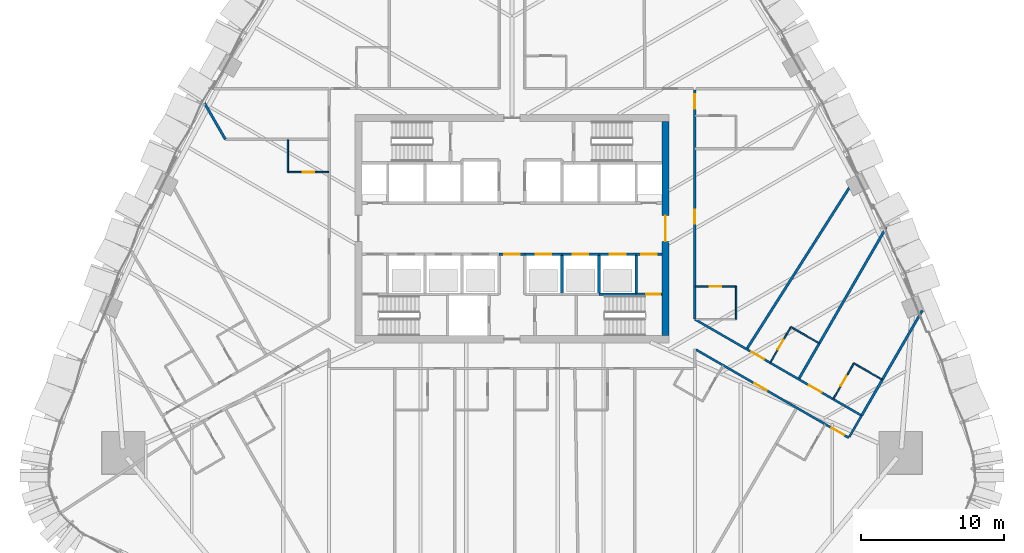
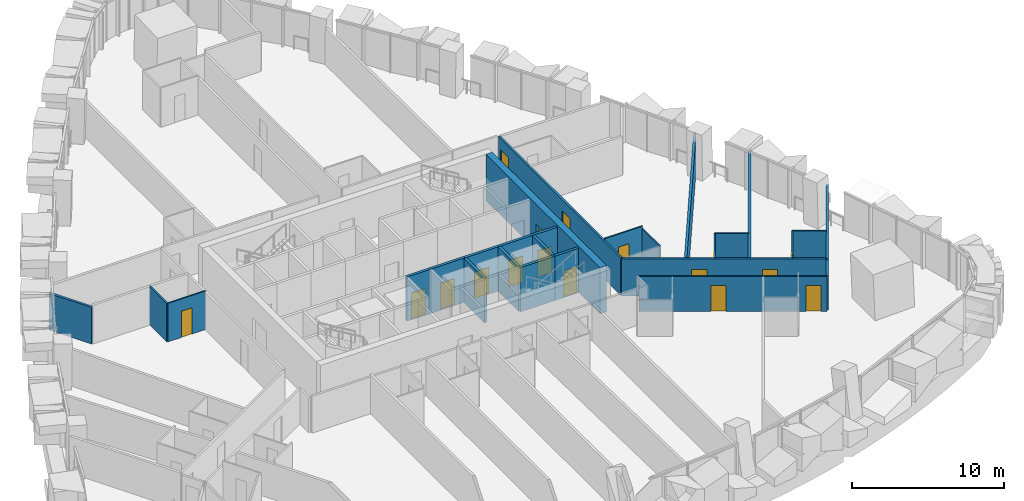
# One storey, part 17 of 27: 27 walls, 17 doors, 17 openings.
"""IFC4 building model written with IfcOpenShell, lengths in metres."""

from ifc_helpers import new_model, si_unit, direction, frame, frame_2d, origin, place, context, subcontext, project, spatial, rectangle, extrude, material, layer, layer_set, type_object, element, fill, save


model = new_model("IFC4")

# Units and contexts
model_context = context("Model", 3, precision=1e-05, world=origin(), true_north=direction((0.0, 1.0)))
body_context = subcontext(model_context, "Body", "Model", "MODEL_VIEW")
ifc_project = project(units=[si_unit("LENGTHUNIT", "METRE"), si_unit("AREAUNIT", "SQUARE_METRE"), si_unit("VOLUMEUNIT", "CUBIC_METRE"), si_unit("PLANEANGLEUNIT", "RADIAN"), si_unit("MASSUNIT", "GRAM", prefix="KILO")], contexts=[model_context])

# Site, building, storey
site_placement = place(None, origin())
site = spatial("IfcSite", under=ifc_project, at=site_placement, CompositionType="ELEMENT")
building_placement = place(site_placement, origin())
building = spatial("IfcBuilding", under=site, at=building_placement, Name="Sierra Prisma Convention Tower", CompositionType="ELEMENT")
storey_placement = place(building_placement, frame((0.0, 0.0, 48.0)))
storey = spatial("IfcBuildingStorey", under=building, at=storey_placement, Name="L07", CompositionType="ELEMENT", Elevation=48.0)

# Wall, opening, door
ifc_material_1 = material(Name="Gypsum board partition", Category="gypsum")
ifc_layer_1 = layer(ifc_material_1, 0.10009765625)
ifc_layer_set_1 = layer_set([ifc_layer_1], Name="Bathroom partition 100")
wall_type_1 = type_object("IfcWallType", Name="Bathroom partition 100", PredefinedType="PARTITIONING", material=ifc_layer_set_1)
wall_1_placement = place(storey_placement, frame((-12.830078125, 3.94921875, 0.0), z_axis=(0.0, 0.0, 1.0), x_axis=(-1.0, 0.0, 0.0)))
wall_1 = element("IfcWall", 1, at=wall_1_placement, inside=storey, type_object=wall_type_1, Name="Partition L07 bath 10", PredefinedType="PARTITIONING", context=body_context, shape_type="SweptSolid", body=[
    extrude(rectangle(XDim=2.869873046875, YDim=0.10009765625, at=frame_2d((1.43505859375, 0.0))), origin(), (0.0, 0.0, 1.0), 3.093017578125),
])
opening_1_placement = place(wall_1_placement, frame((1.034912109375, 0.0, 0.0)))
opening_1 = element("IfcOpeningElement", 2, at=opening_1_placement, cuts=wall_1, Name="Opening L07-D006", PredefinedType="OPENING", context=body_context, shape_type="SweptSolid", body=[
    extrude(rectangle(XDim=0.800048828125, YDim=2.10009765625, at=frame_2d((0.39990234375, 1.050048828125))), frame((0.0, 0.050048828125, 0.0), z_axis=(0.0, -1.0, 0.0), x_axis=(1.0, 0.0, 0.0)), (0.0, 0.0, 1.0), 0.10009765625),
])
ifc_material_2 = material(Name="Solid core timber door leaf", Category="wood")
door_type_1 = type_object("IfcDoorType", Name="Door 800x2100 plain", OperationType="SINGLE_SWING_LEFT", PredefinedType="DOOR", material=ifc_material_2)
door_1_placement = place(opening_1_placement, origin())
door_1 = element("IfcDoor", 3, at=door_1_placement, inside=storey, type_object=door_type_1, Name="Door L07 14", OperationType="SINGLE_SWING_RIGHT", OverallHeight=2.10009765625, OverallWidth=0.800048828125, PredefinedType="DOOR", context=body_context, shape_type="SweptSolid", body=[
    extrude(rectangle(XDim=0.800048828125, YDim=2.10009765625, at=frame_2d((0.39990234375, 1.050048828125))), frame((0.0, 0.02490234375, 0.0), z_axis=(0.0, -1.0, 0.0), x_axis=(1.0, 0.0, 0.0)), (0.0, 0.0, 1.0), 0.050048828125),
])
fill(opening_1, door_1)

# Wall
wall_2_placement = place(storey_placement, frame((-15.699951171875, 3.94921875, 0.0), z_axis=(0.0, 0.0, 1.0), x_axis=(0.0, 1.0, 0.0)))
element("IfcWall", 4, at=wall_2_placement, inside=storey, type_object=wall_type_1, Name="Partition L07 bath 11", PredefinedType="PARTITIONING", context=body_context, shape_type="SweptSolid", body=[
    extrude(rectangle(XDim=2.269775390625, YDim=0.10009765625, at=frame_2d((1.134765625, 0.0))), origin(), (0.0, 0.0, 1.0), 3.093017578125),
])

# Wall, opening, door
wall_3_placement = place(storey_placement, frame((12.830078125, -4.05078125, 0.0), z_axis=(0.0, 0.0, 1.0), x_axis=(1.0, 0.0, 0.0)))
wall_3 = element("IfcWall", 5, at=wall_3_placement, inside=storey, type_object=wall_type_1, Name="Partition L07 bath 30", PredefinedType="PARTITIONING", context=body_context, shape_type="SweptSolid", body=[
    extrude(rectangle(XDim=2.869873046875, YDim=0.10009765625, at=frame_2d((1.43505859375, 0.0))), origin(), (0.0, 0.0, 1.0), 3.14990234375),
])
opening_2_placement = place(wall_3_placement, frame((1.034912109375, 0.0, 0.0)))
opening_2 = element("IfcOpeningElement", 6, at=opening_2_placement, cuts=wall_3, Name="Opening L07-D001", PredefinedType="OPENING", context=body_context, shape_type="SweptSolid", body=[
    extrude(rectangle(XDim=0.800048828125, YDim=2.10009765625, at=frame_2d((0.39990234375, 1.050048828125))), frame((0.0, 0.050048828125, 0.0), z_axis=(0.0, -1.0, 0.0), x_axis=(1.0, 0.0, 0.0)), (0.0, 0.0, 1.0), 0.10009765625),
])
door_2_placement = place(opening_2_placement, origin())
door_2 = element("IfcDoor", 7, at=door_2_placement, inside=storey, type_object=door_type_1, Name="Door L07 2", OperationType="SINGLE_SWING_RIGHT", OverallHeight=2.10009765625, OverallWidth=0.800048828125, PredefinedType="DOOR", context=body_context, shape_type="SweptSolid", body=[
    extrude(rectangle(XDim=0.800048828125, YDim=2.10009765625, at=frame_2d((0.39990234375, 1.050048828125))), frame((0.0, 0.02490234375, 0.0), z_axis=(0.0, -1.0, 0.0), x_axis=(1.0, 0.0, 0.0)), (0.0, 0.0, 1.0), 0.050048828125),
])
fill(opening_2, door_2)

# Wall
wall_4_placement = place(storey_placement, frame((15.699951171875, -4.05078125, 0.0), z_axis=(0.0, 0.0, 1.0), x_axis=(0.0, -1.0, 0.0)))
element("IfcWall", 8, at=wall_4_placement, inside=storey, type_object=wall_type_1, Name="Partition L07 bath 31", PredefinedType="PARTITIONING", context=body_context, shape_type="SweptSolid", body=[
    extrude(rectangle(XDim=2.300048828125, YDim=0.10009765625, at=frame_2d((1.14990234375, 0.0))), origin(), (0.0, 0.0, 1.0), 2.947021484375),
])

# Wall, opening, door
wall_5_placement = place(storey_placement, frame((18.097900390625, -9.375, 0.0), z_axis=(0.0, 0.0, 1.0), x_axis=(0.499936001555, 0.866062350151, 0.0)))
wall_5 = element("IfcWall", 9, at=wall_5_placement, inside=storey, type_object=wall_type_1, Name="Partition L07 bath 35", PredefinedType="PARTITIONING", context=body_context, shape_type="SweptSolid", body=[
    extrude(rectangle(XDim=2.8701171875, YDim=0.10009765625, at=frame_2d((1.43505859375, 0.0))), origin(), (0.0, 0.0, 1.0), 2.947021484375),
])
opening_3_placement = place(wall_5_placement, frame((1.034912109375, 0.0, 0.0)))
opening_3 = element("IfcOpeningElement", 10, at=opening_3_placement, cuts=wall_5, Name="Opening L07-D018", PredefinedType="OPENING", context=body_context, shape_type="SweptSolid", body=[
    extrude(rectangle(XDim=0.800048828125, YDim=2.10009765625, at=frame_2d((0.39990234375, 1.050048828125))), frame((0.0, 0.050048828125, 0.0), z_axis=(0.0, -1.0, 0.0), x_axis=(1.0, 0.0, 0.0)), (0.0, 0.0, 1.0), 0.10009765625),
])
door_3_placement = place(opening_3_placement, origin())
door_3 = element("IfcDoor", 11, at=door_3_placement, inside=storey, type_object=door_type_1, Name="Door L07 39", OperationType="SINGLE_SWING_LEFT", OverallHeight=2.10009765625, OverallWidth=0.800048828125, PredefinedType="DOOR", context=body_context, shape_type="SweptSolid", body=[
    extrude(rectangle(XDim=0.800048828125, YDim=2.10009765625, at=frame_2d((0.39990234375, 1.050048828125))), frame((0.0, 0.02490234375, 0.0), z_axis=(0.0, -1.0, 0.0), x_axis=(1.0, 0.0, 0.0)), (0.0, 0.0, 1.0), 0.050048828125),
])
fill(opening_3, door_3)

# Wall
wall_6_placement = place(storey_placement, frame((19.53271484375, -6.889404296875, 0.0), z_axis=(0.0, 0.0, 1.0), x_axis=(0.866017224141, -0.500014167291, 0.0)))
element("IfcWall", 12, at=wall_6_placement, inside=storey, type_object=wall_type_1, Name="Partition L07 bath 36", PredefinedType="PARTITIONING", context=body_context, shape_type="SweptSolid", body=[
    extrude(rectangle(XDim=2.27001953125, YDim=0.10009765625, at=frame_2d((1.135009765625, 0.0))), origin(), (0.0, 0.0, 1.0), 2.947021484375),
])

# Wall, opening, door
wall_7_placement = place(storey_placement, frame((22.5107421875, -11.922607421875, 0.0), z_axis=(0.0, 0.0, 1.0), x_axis=(0.500036638401, 0.866004249561, 0.0)))
wall_7 = element("IfcWall", 13, at=wall_7_placement, inside=storey, type_object=wall_type_1, Name="Partition L07 bath 39", PredefinedType="PARTITIONING", context=body_context, shape_type="SweptSolid", body=[
    extrude(rectangle(XDim=2.869873046875, YDim=0.10009765625, at=frame_2d((1.43505859375, 0.0))), origin(), (0.0, 0.0, 1.0), 3.14990234375),
])
opening_4_placement = place(wall_7_placement, frame((1.034912109375, 0.0, 0.0)))
opening_4 = element("IfcOpeningElement", 14, at=opening_4_placement, cuts=wall_7, Name="Opening L07-D017", PredefinedType="OPENING", context=body_context, shape_type="SweptSolid", body=[
    extrude(rectangle(XDim=0.800048828125, YDim=2.10009765625, at=frame_2d((0.39990234375, 1.050048828125))), frame((0.0, 0.050048828125, 0.0), z_axis=(0.0, -1.0, 0.0), x_axis=(1.0, 0.0, 0.0)), (0.0, 0.0, 1.0), 0.10009765625),
])
door_4_placement = place(opening_4_placement, origin())
door_4 = element("IfcDoor", 15, at=door_4_placement, inside=storey, type_object=door_type_1, Name="Door L07 37", OperationType="SINGLE_SWING_RIGHT", OverallHeight=2.10009765625, OverallWidth=0.800048828125, PredefinedType="DOOR", context=body_context, shape_type="SweptSolid", body=[
    extrude(rectangle(XDim=0.800048828125, YDim=2.10009765625, at=frame_2d((0.39990234375, 1.050048828125))), frame((0.0, 0.02490234375, 0.0), z_axis=(0.0, -1.0, 0.0), x_axis=(1.0, 0.0, 0.0)), (0.0, 0.0, 1.0), 0.050048828125),
])
fill(opening_4, door_4)

# Wall
wall_8_placement = place(storey_placement, frame((23.94580078125, -9.437255859375, 0.0), z_axis=(0.0, 0.0, 1.0), x_axis=(0.866017224141, -0.500014167291, 0.0)))
element("IfcWall", 16, at=wall_8_placement, inside=storey, type_object=wall_type_1, Name="Partition L07 bath 40", PredefinedType="PARTITIONING", context=body_context, shape_type="SweptSolid", body=[
    extrude(rectangle(XDim=2.27001953125, YDim=0.10009765625, at=frame_2d((1.135009765625, 0.0))), origin(), (0.0, 0.0, 1.0), 3.14990234375),
])

# Wall, opening, door
ifc_material_3 = material(Name="Concrete C30/37", Category="concrete")
ifc_layer_2 = layer(ifc_material_3, 0.199951171875)
ifc_layer_set_2 = layer_set([ifc_layer_2], Name="Core wall RC 200 C30/37")
wall_type_2 = type_object("IfcWallType", Name="Core wall RC 200 C30/37", PredefinedType="SOLIDWALL", material=ifc_layer_set_2)
wall_9_placement = place(storey_placement, frame((-0.89990234375, -1.800048828125, 0.0), z_axis=(0.0, 0.0, 1.0), x_axis=(1.0, 0.0, 0.0)))
wall_9 = element("IfcWall", 17, at=wall_9_placement, inside=storey, type_object=wall_type_2, Name="Core wall L07 32", PredefinedType="SOLIDWALL", context=body_context, shape_type="SweptSolid", body=[
    extrude(rectangle(XDim=1.7998046875, YDim=0.199951171875, at=frame_2d((0.89990234375, 0.0))), origin(), (0.0, 0.0, 1.0), 3.550048828125),
])
opening_5_placement = place(wall_9_placement, frame((0.35009765625, 0.0, 0.0)))
opening_5 = element("IfcOpeningElement", 18, at=opening_5_placement, cuts=wall_9, Name="Opening L07-D031", PredefinedType="OPENING", context=body_context, shape_type="SweptSolid", body=[
    extrude(rectangle(XDim=1.10009765625, YDim=2.10009765625, at=frame_2d((0.550048828125, 1.050048828125))), frame((0.0, 0.10009765625, 0.0), z_axis=(0.0, -1.0, 0.0), x_axis=(1.0, 0.0, 0.0)), (0.0, 0.0, 1.0), 0.199951171875),
])
ifc_material_4 = material(Name="Steel fire door leaf", Category="steel")
door_type_2 = type_object("IfcDoorType", Name="Door 1100x2100 FD30S", OperationType="SINGLE_SWING_LEFT", PredefinedType="DOOR", material=ifc_material_4)
door_5_placement = place(opening_5_placement, origin())
door_5 = element("IfcDoor", 19, at=door_5_placement, inside=storey, type_object=door_type_2, Name="Door L07 52", OperationType="SINGLE_SWING_LEFT", OverallHeight=2.10009765625, OverallWidth=1.10009765625, PredefinedType="DOOR", context=body_context, shape_type="SweptSolid", body=[
    extrude(rectangle(XDim=1.10009765625, YDim=2.10009765625, at=frame_2d((0.550048828125, 1.050048828125))), frame((0.0, 0.02490234375, 0.0), z_axis=(0.0, -1.0, 0.0), x_axis=(1.0, 0.0, 0.0)), (0.0, 0.0, 1.0), 0.050048828125),
])
fill(opening_5, door_5)

wall_10_placement = place(storey_placement, frame((0.89990234375, -1.800048828125, 0.0), z_axis=(0.0, 0.0, 1.0), x_axis=(1.0, 0.0, 0.0)))
wall_10 = element("IfcWall", 20, at=wall_10_placement, inside=storey, type_object=wall_type_2, Name="Core wall L07 34", PredefinedType="SOLIDWALL", context=body_context, shape_type="SweptSolid", body=[
    extrude(rectangle(XDim=2.60009765625, YDim=0.199951171875, at=frame_2d((1.300048828125, 0.0))), origin(), (0.0, 0.0, 1.0), 3.550048828125),
])
opening_6_placement = place(wall_10_placement, frame((0.75, 0.0, 0.0)))
opening_6 = element("IfcOpeningElement", 21, at=opening_6_placement, cuts=wall_10, Name="Opening L07-D022", PredefinedType="OPENING", context=body_context, shape_type="SweptSolid", body=[
    extrude(rectangle(XDim=1.10009765625, YDim=2.10009765625, at=frame_2d((0.550048828125, 1.050048828125))), frame((0.0, 0.10009765625, 0.0), z_axis=(0.0, -1.0, 0.0), x_axis=(1.0, 0.0, 0.0)), (0.0, 0.0, 1.0), 0.199951171875),
])
ifc_material_5 = material(Name="Steel fire door leaf", Category="steel")
door_type_3 = type_object("IfcDoorType", Name="Door 1100x2100 EI 90 sliding lift landing", OperationType="SLIDING_TO_LEFT", PredefinedType="DOOR", material=ifc_material_5)
door_6_placement = place(opening_6_placement, origin())
door_6 = element("IfcDoor", 22, at=door_6_placement, inside=storey, type_object=door_type_3, Name="Door L07 43", OperationType="SLIDING_TO_RIGHT", OverallHeight=2.10009765625, OverallWidth=1.10009765625, PredefinedType="DOOR", context=body_context, shape_type="SweptSolid", body=[
    extrude(rectangle(XDim=1.10009765625, YDim=2.10009765625, at=frame_2d((0.550048828125, 1.050048828125))), frame((0.0, 0.02490234375, 0.0), z_axis=(0.0, -1.0, 0.0), x_axis=(1.0, 0.0, 0.0)), (0.0, 0.0, 1.0), 0.050048828125),
])
fill(opening_6, door_6)

# Wall
wall_11_placement = place(storey_placement, frame((3.5, -4.60009765625, 0.0), z_axis=(0.0, 0.0, 1.0), x_axis=(0.0, 1.0, 0.0)))
element("IfcWall", 23, at=wall_11_placement, inside=storey, type_object=wall_type_2, Name="Core wall L07 44", PredefinedType="SOLIDWALL", context=body_context, shape_type="SweptSolid", body=[
    extrude(rectangle(XDim=2.800048828125, YDim=0.199951171875, at=frame_2d((1.39990234375, 0.0))), origin(), (0.0, 0.0, 1.0), 3.550048828125),
])

# Wall, opening, door
wall_12_placement = place(storey_placement, frame((3.5, -1.800048828125, 0.0), z_axis=(0.0, 0.0, 1.0), x_axis=(1.0, 0.0, 0.0)))
wall_12 = element("IfcWall", 24, at=wall_12_placement, inside=storey, type_object=wall_type_2, Name="Core wall L07 45", PredefinedType="SOLIDWALL", context=body_context, shape_type="SweptSolid", body=[
    extrude(rectangle(XDim=2.60009765625, YDim=0.199951171875, at=frame_2d((1.300048828125, 0.0))), origin(), (0.0, 0.0, 1.0), 3.550048828125),
])
opening_7_placement = place(wall_12_placement, frame((0.75, 0.0, 0.0)))
opening_7 = element("IfcOpeningElement", 25, at=opening_7_placement, cuts=wall_12, Name="Opening L07-D023", PredefinedType="OPENING", context=body_context, shape_type="SweptSolid", body=[
    extrude(rectangle(XDim=1.10009765625, YDim=2.10009765625, at=frame_2d((0.550048828125, 1.050048828125))), frame((0.0, 0.10009765625, 0.0), z_axis=(0.0, -1.0, 0.0), x_axis=(1.0, 0.0, 0.0)), (0.0, 0.0, 1.0), 0.199951171875),
])
door_7_placement = place(opening_7_placement, origin())
door_7 = element("IfcDoor", 26, at=door_7_placement, inside=storey, type_object=door_type_3, Name="Door L07 44", OperationType="SLIDING_TO_RIGHT", OverallHeight=2.10009765625, OverallWidth=1.10009765625, PredefinedType="DOOR", context=body_context, shape_type="SweptSolid", body=[
    extrude(rectangle(XDim=1.10009765625, YDim=2.10009765625, at=frame_2d((0.550048828125, 1.050048828125))), frame((0.0, 0.02490234375, 0.0), z_axis=(0.0, -1.0, 0.0), x_axis=(1.0, 0.0, 0.0)), (0.0, 0.0, 1.0), 0.050048828125),
])
fill(opening_7, door_7)

# Walls
wall_13_placement = place(storey_placement, frame((6.10009765625, -4.60009765625, 0.0), z_axis=(0.0, 0.0, 1.0), x_axis=(1.0, 0.0, 0.0)))
element("IfcWall", 27, at=wall_13_placement, inside=storey, type_object=wall_type_2, Name="Core wall L07 53", PredefinedType="SOLIDWALL", context=body_context, shape_type="SweptSolid", body=[
    extrude(rectangle(XDim=2.599853515625, YDim=0.199951171875, at=frame_2d((1.2998046875, 0.0))), origin(), (0.0, 0.0, 1.0), 3.550048828125),
])
wall_14_placement = place(storey_placement, frame((6.10009765625, -4.60009765625, 0.0), z_axis=(0.0, 0.0, 1.0), x_axis=(0.0, 1.0, 0.0)))
element("IfcWall", 28, at=wall_14_placement, inside=storey, type_object=wall_type_2, Name="Core wall L07 54", PredefinedType="SOLIDWALL", context=body_context, shape_type="SweptSolid", body=[
    extrude(rectangle(XDim=2.800048828125, YDim=0.199951171875, at=frame_2d((1.39990234375, 0.0))), origin(), (0.0, 0.0, 1.0), 3.550048828125),
])

# Wall, opening, door
wall_15_placement = place(storey_placement, frame((6.10009765625, -1.800048828125, 0.0), z_axis=(0.0, 0.0, 1.0), x_axis=(1.0, 0.0, 0.0)))
wall_15 = element("IfcWall", 29, at=wall_15_placement, inside=storey, type_object=wall_type_2, Name="Core wall L07 55", PredefinedType="SOLIDWALL", context=body_context, shape_type="SweptSolid", body=[
    extrude(rectangle(XDim=2.599853515625, YDim=0.199951171875, at=frame_2d((1.2998046875, 0.0))), origin(), (0.0, 0.0, 1.0), 3.550048828125),
])
opening_8_placement = place(wall_15_placement, frame((0.75, 0.0, 0.0)))
opening_8 = element("IfcOpeningElement", 30, at=opening_8_placement, cuts=wall_15, Name="Opening L07-D024", PredefinedType="OPENING", context=body_context, shape_type="SweptSolid", body=[
    extrude(rectangle(XDim=1.10009765625, YDim=2.10009765625, at=frame_2d((0.550048828125, 1.050048828125))), frame((0.0, 0.10009765625, 0.0), z_axis=(0.0, -1.0, 0.0), x_axis=(1.0, 0.0, 0.0)), (0.0, 0.0, 1.0), 0.199951171875),
])
door_8_placement = place(opening_8_placement, origin())
door_8 = element("IfcDoor", 31, at=door_8_placement, inside=storey, type_object=door_type_3, Name="Door L07 45", OperationType="SLIDING_TO_RIGHT", OverallHeight=2.10009765625, OverallWidth=1.10009765625, PredefinedType="DOOR", context=body_context, shape_type="SweptSolid", body=[
    extrude(rectangle(XDim=1.10009765625, YDim=2.10009765625, at=frame_2d((0.550048828125, 1.050048828125))), frame((0.0, 0.02490234375, 0.0), z_axis=(0.0, -1.0, 0.0), x_axis=(1.0, 0.0, 0.0)), (0.0, 0.0, 1.0), 0.050048828125),
])
fill(opening_8, door_8)

wall_16_placement = place(storey_placement, frame((8.699951171875, -4.60009765625, 0.0), z_axis=(0.0, 0.0, 1.0), x_axis=(1.0, 0.0, 0.0)))
wall_16 = element("IfcWall", 32, at=wall_16_placement, inside=storey, type_object=wall_type_2, Name="Core wall L07 59", PredefinedType="SOLIDWALL", context=body_context, shape_type="SweptSolid", body=[
    extrude(rectangle(XDim=1.800048828125, YDim=0.199951171875, at=frame_2d((0.89990234375, 0.0))), origin(), (0.0, 0.0, 1.0), 3.550048828125),
])
opening_9_placement = place(wall_16_placement, frame((0.699951171875, 0.0, 0.0)))
opening_9 = element("IfcOpeningElement", 33, at=opening_9_placement, cuts=wall_16, Name="Opening L07-D035", PredefinedType="OPENING", context=body_context, shape_type="SweptSolid", body=[
    extrude(rectangle(XDim=1.0, YDim=2.10009765625, at=frame_2d((0.5, 1.050048828125))), frame((0.0, 0.10009765625, 0.0), z_axis=(0.0, -1.0, 0.0), x_axis=(1.0, 0.0, 0.0)), (0.0, 0.0, 1.0), 0.199951171875),
])
ifc_material_6 = material(Name="Steel fire door leaf", Category="steel")
door_type_4 = type_object("IfcDoorType", Name="Door 1000x2100 FD90S", OperationType="SINGLE_SWING_LEFT", PredefinedType="DOOR", material=ifc_material_6)
door_9_placement = place(opening_9_placement, origin())
door_9 = element("IfcDoor", 34, at=door_9_placement, inside=storey, type_object=door_type_4, Name="Door L07 56", OperationType="SINGLE_SWING_RIGHT", OverallHeight=2.10009765625, OverallWidth=1.0, PredefinedType="DOOR", context=body_context, shape_type="SweptSolid", body=[
    extrude(rectangle(XDim=1.0, YDim=2.10009765625, at=frame_2d((0.5, 1.050048828125))), frame((0.0, 0.02490234375, 0.0), z_axis=(0.0, -1.0, 0.0), x_axis=(1.0, 0.0, 0.0)), (0.0, 0.0, 1.0), 0.050048828125),
])
fill(opening_9, door_9)

# Wall
wall_17_placement = place(storey_placement, frame((8.699951171875, -1.800048828125, 0.0), z_axis=(0.0, 0.0, 1.0), x_axis=(0.0, -1.0, 0.0)))
element("IfcWall", 35, at=wall_17_placement, inside=storey, type_object=wall_type_2, Name="Core wall L07 60", PredefinedType="SOLIDWALL", context=body_context, shape_type="SweptSolid", body=[
    extrude(rectangle(XDim=2.800048828125, YDim=0.199951171875, at=frame_2d((1.39990234375, 0.0))), origin(), (0.0, 0.0, 1.0), 3.550048828125),
])

# Wall, opening, door
wall_18_placement = place(storey_placement, frame((8.699951171875, -1.800048828125, 0.0), z_axis=(0.0, 0.0, 1.0), x_axis=(1.0, 0.0, 0.0)))
wall_18 = element("IfcWall", 36, at=wall_18_placement, inside=storey, type_object=wall_type_2, Name="Core wall L07 61", PredefinedType="SOLIDWALL", context=body_context, shape_type="SweptSolid", body=[
    extrude(rectangle(XDim=1.800048828125, YDim=0.199951171875, at=frame_2d((0.89990234375, 0.0))), origin(), (0.0, 0.0, 1.0), 3.550048828125),
])
opening_10_placement = place(wall_18_placement, frame((0.35009765625, 0.0, 0.0)))
opening_10 = element("IfcOpeningElement", 37, at=opening_10_placement, cuts=wall_18, Name="Opening L07-D029", PredefinedType="OPENING", context=body_context, shape_type="SweptSolid", body=[
    extrude(rectangle(XDim=1.10009765625, YDim=2.10009765625, at=frame_2d((0.550048828125, 1.050048828125))), frame((0.0, 0.10009765625, 0.0), z_axis=(0.0, -1.0, 0.0), x_axis=(1.0, 0.0, 0.0)), (0.0, 0.0, 1.0), 0.199951171875),
])
ifc_material_7 = material(Name="Steel fire door leaf", Category="steel")
door_type_5 = type_object("IfcDoorType", Name="Door 1100x2100 FD90S", OperationType="SINGLE_SWING_LEFT", PredefinedType="DOOR", material=ifc_material_7)
door_10_placement = place(opening_10_placement, origin())
door_10 = element("IfcDoor", 38, at=door_10_placement, inside=storey, type_object=door_type_5, Name="Door L07 50", OperationType="SINGLE_SWING_LEFT", OverallHeight=2.10009765625, OverallWidth=1.10009765625, PredefinedType="DOOR", context=body_context, shape_type="SweptSolid", body=[
    extrude(rectangle(XDim=1.10009765625, YDim=2.10009765625, at=frame_2d((0.550048828125, 1.050048828125))), frame((0.0, 0.02490234375, 0.0), z_axis=(0.0, -1.0, 0.0), x_axis=(1.0, 0.0, 0.0)), (0.0, 0.0, 1.0), 0.050048828125),
])
fill(opening_10, door_10)

ifc_material_8 = material(Name="Concrete C60/75", Category="concrete")
ifc_layer_3 = layer(ifc_material_8, 0.5)
ifc_layer_set_3 = layer_set([ifc_layer_3], Name="Core wall RC 500 C60/75")
wall_type_3 = type_object("IfcWallType", Name="Core wall RC 500 C60/75", PredefinedType="SHEAR", material=ifc_layer_set_3)
wall_19_placement = place(storey_placement, frame((10.75, -7.5, 0.0), z_axis=(0.0, 0.0, 1.0), x_axis=(0.0, 1.0, 0.0)))
wall_19 = element("IfcWall", 39, at=wall_19_placement, inside=storey, type_object=wall_type_3, Name="Core wall E L07", PredefinedType="SHEAR", context=body_context, shape_type="SweptSolid", body=[
    extrude(rectangle(XDim=15.0, YDim=0.5, at=frame_2d((7.5, 0.0))), origin(), (0.0, 0.0, 1.0), 3.699951171875),
])
opening_11_placement = place(wall_19_placement, frame((6.60009765625, 0.0, 0.0)))
opening_11 = element("IfcOpeningElement", 40, at=opening_11_placement, cuts=wall_19, Name="Opening L07-D060", PredefinedType="OPENING", context=body_context, shape_type="SweptSolid", body=[
    extrude(rectangle(XDim=1.800048828125, YDim=2.10009765625, at=frame_2d((0.89990234375, 1.050048828125))), frame((0.0, 0.25, 0.0), z_axis=(0.0, -1.0, 0.0), x_axis=(1.0, 0.0, 0.0)), (0.0, 0.0, 1.0), 0.5),
])
ifc_material_9 = material(Name="Steel fire door leaf", Category="steel")
door_type_6 = type_object("IfcDoorType", Name="Door 1800x2100 FD60S", OperationType="DOUBLE_DOOR_SINGLE_SWING", PredefinedType="DOOR", material=ifc_material_9)
door_11_placement = place(opening_11_placement, origin())
door_11 = element("IfcDoor", 41, at=door_11_placement, inside=storey, type_object=door_type_6, Name="Door L07 61", OperationType="DOUBLE_DOOR_SINGLE_SWING", OverallHeight=2.10009765625, OverallWidth=1.800048828125, PredefinedType="DOOR", context=body_context, shape_type="SweptSolid", body=[
    extrude(rectangle(XDim=1.800048828125, YDim=2.10009765625, at=frame_2d((0.89990234375, 1.050048828125))), frame((0.0, 0.02490234375, 0.0), z_axis=(0.0, -1.0, 0.0), x_axis=(1.0, 0.0, 0.0)), (0.0, 0.0, 1.0), 0.050048828125),
])
fill(opening_11, door_11)

# Wall, openings, doors
ifc_material_10 = material(Name="Gypsum board partition", Category="gypsum")
ifc_layer_4 = layer(ifc_material_10, 0.14990234375)
ifc_layer_set_4 = layer_set([ifc_layer_4], Name="Corridor wall 150 gypsum EI 60")
wall_type_4 = type_object("IfcWallType", Name="Corridor wall 150 gypsum EI 60", PredefinedType="PARTITIONING", material=ifc_layer_set_4)
wall_20_placement = place(storey_placement, frame((12.87939453125, -8.47509765625, 0.0), z_axis=(0.0, 0.0, 1.0), x_axis=(0.866021836803, -0.500006178143, 0.0)))
wall_20 = element("IfcWall", 42, at=wall_20_placement, inside=storey, type_object=wall_type_4, Name="Partition L07 corr 15", PredefinedType="PARTITIONING", context=body_context, shape_type="SweptSolid", body=[
    extrude(rectangle(XDim=12.364501953125, YDim=0.14990234375, at=frame_2d((6.18212890625, 0.0))), origin(), (0.0, 0.0, 1.0), 2.797119140625),
])
opening_12_placement = place(wall_20_placement, frame((4.736572265625, 0.0, 0.0)))
opening_12 = element("IfcOpeningElement", 43, at=opening_12_placement, cuts=wall_20, Name="Opening L07-D056", PredefinedType="OPENING", context=body_context, shape_type="SweptSolid", body=[
    extrude(rectangle(XDim=1.0, YDim=2.10009765625, at=frame_2d((0.5, 1.050048828125))), frame((0.0, 0.074951171875, 0.0), z_axis=(0.0, -1.0, 0.0), x_axis=(1.0, 0.0, 0.0)), (0.0, 0.0, 1.0), 0.14990234375),
])
opening_13_placement = place(wall_20_placement, frame((10.96484375, 0.0, 0.0)))
opening_13 = element("IfcOpeningElement", 44, at=opening_13_placement, cuts=wall_20, Name="Opening L07-D057", PredefinedType="OPENING", context=body_context, shape_type="SweptSolid", body=[
    extrude(rectangle(XDim=1.0, YDim=2.10009765625, at=frame_2d((0.5, 1.050048828125))), frame((0.0, 0.074951171875, 0.0), z_axis=(0.0, -1.0, 0.0), x_axis=(1.0, 0.0, 0.0)), (0.0, 0.0, 1.0), 0.14990234375),
])
ifc_material_11 = material(Name="Steel fire door leaf", Category="steel")
door_type_7 = type_object("IfcDoorType", Name="Door 1000x2100 FD30S", OperationType="SINGLE_SWING_LEFT", PredefinedType="DOOR", material=ifc_material_11)
door_12_placement = place(opening_12_placement, origin())
door_12 = element("IfcDoor", 45, at=door_12_placement, inside=storey, type_object=door_type_7, Name="Door L07 32", OperationType="SINGLE_SWING_LEFT", OverallHeight=2.10009765625, OverallWidth=1.0, PredefinedType="DOOR", context=body_context, shape_type="SweptSolid", body=[
    extrude(rectangle(XDim=1.0, YDim=2.10009765625, at=frame_2d((0.5, 1.050048828125))), frame((0.0, 0.02490234375, 0.0), z_axis=(0.0, -1.0, 0.0), x_axis=(1.0, 0.0, 0.0)), (0.0, 0.0, 1.0), 0.050048828125),
])
fill(opening_12, door_12)
door_13_placement = place(opening_13_placement, origin())
door_13 = element("IfcDoor", 46, at=door_13_placement, inside=storey, type_object=door_type_7, Name="Door L07 34", OperationType="SINGLE_SWING_LEFT", OverallHeight=2.10009765625, OverallWidth=1.0, PredefinedType="DOOR", context=body_context, shape_type="SweptSolid", body=[
    extrude(rectangle(XDim=1.0, YDim=2.10009765625, at=frame_2d((0.5, 1.050048828125))), frame((0.0, 0.02490234375, 0.0), z_axis=(0.0, -1.0, 0.0), x_axis=(1.0, 0.0, 0.0)), (0.0, 0.0, 1.0), 0.050048828125),
])
fill(opening_13, door_13)

# Wall
wall_21_placement = place(storey_placement, frame((23.62744140625, -14.588134765625, 0.0), z_axis=(0.0, 0.0, 1.0), x_axis=(0.500062383118, 0.865989383878, 0.0)))
element("IfcWall", 47, at=wall_21_placement, inside=storey, type_object=wall_type_4, Name="Partition L07 corr 16", PredefinedType="PARTITIONING", context=body_context, shape_type="SweptSolid", body=[
    extrude(rectangle(XDim=1.719970703125, YDim=0.14990234375, at=frame_2d((0.85986328125, 0.0))), origin(), (0.0, 0.0, 1.0), 2.797119140625),
])

# Wall, openings, doors
wall_22_placement = place(storey_placement, frame((24.418212890625, -13.05859375, 0.0), z_axis=(0.0, 0.0, 1.0), x_axis=(-0.866024967305, 0.500000756004, 0.0)))
wall_22 = element("IfcWall", 48, at=wall_22_placement, inside=storey, type_object=wall_type_4, Name="Partition L07 corr 17", PredefinedType="PARTITIONING", context=body_context, shape_type="SweptSolid", body=[
    extrude(rectangle(XDim=13.41552734375, YDim=0.14990234375, at=frame_2d((6.707763671875, 0.0))), origin(), (0.0, 0.0, 1.0), 2.947021484375),
])
opening_14_placement = place(wall_22_placement, frame((3.167724609375, 0.0, 0.0)))
opening_14 = element("IfcOpeningElement", 49, at=opening_14_placement, cuts=wall_22, Name="Opening L07-D058", PredefinedType="OPENING", context=body_context, shape_type="SweptSolid", body=[
    extrude(rectangle(XDim=1.0, YDim=2.10009765625, at=frame_2d((0.5, 1.050048828125))), frame((0.0, 0.074951171875, 0.0), z_axis=(0.0, -1.0, 0.0), x_axis=(1.0, 0.0, 0.0)), (0.0, 0.0, 1.0), 0.14990234375),
])
opening_15_placement = place(wall_22_placement, frame((7.8154296875, 0.0, 0.0)))
opening_15 = element("IfcOpeningElement", 50, at=opening_15_placement, cuts=wall_22, Name="Opening L07-D059", PredefinedType="OPENING", context=body_context, shape_type="SweptSolid", body=[
    extrude(rectangle(XDim=1.0, YDim=2.10009765625, at=frame_2d((0.5, 1.050048828125))), frame((0.0, 0.074951171875, 0.0), z_axis=(0.0, -1.0, 0.0), x_axis=(1.0, 0.0, 0.0)), (0.0, 0.0, 1.0), 0.14990234375),
])
door_14_placement = place(opening_14_placement, origin())
door_14 = element("IfcDoor", 51, at=door_14_placement, inside=storey, type_object=door_type_7, Name="Door L07 36", OperationType="SINGLE_SWING_LEFT", OverallHeight=2.10009765625, OverallWidth=1.0, PredefinedType="DOOR", context=body_context, shape_type="SweptSolid", body=[
    extrude(rectangle(XDim=1.0, YDim=2.10009765625, at=frame_2d((0.5, 1.050048828125))), frame((0.0, 0.02490234375, 0.0), z_axis=(0.0, -1.0, 0.0), x_axis=(1.0, 0.0, 0.0)), (0.0, 0.0, 1.0), 0.050048828125),
])
fill(opening_14, door_14)
door_15_placement = place(opening_15_placement, origin())
door_15 = element("IfcDoor", 52, at=door_15_placement, inside=storey, type_object=door_type_7, Name="Door L07 38", OperationType="SINGLE_SWING_LEFT", OverallHeight=2.10009765625, OverallWidth=1.0, PredefinedType="DOOR", context=body_context, shape_type="SweptSolid", body=[
    extrude(rectangle(XDim=1.0, YDim=2.10009765625, at=frame_2d((0.5, 1.050048828125))), frame((0.0, 0.02490234375, 0.0), z_axis=(0.0, -1.0, 0.0), x_axis=(1.0, 0.0, 0.0)), (0.0, 0.0, 1.0), 0.050048828125),
])
fill(opening_15, door_15)

wall_23_placement = place(storey_placement, frame((12.800048828125, -6.350830078125, 0.0), z_axis=(0.0, 0.0, 1.0), x_axis=(0.0, 1.0, 0.0)))
wall_23 = element("IfcWall", 53, at=wall_23_placement, inside=storey, type_object=wall_type_4, Name="Partition L07 corr 18", PredefinedType="PARTITIONING", context=body_context, shape_type="SweptSolid", body=[
    extrude(rectangle(XDim=16.07080078125, YDim=0.14990234375, at=frame_2d((8.035400390625, 0.0))), origin(), (0.0, 0.0, 1.0), 3.01708984375),
])
opening_16_placement = place(wall_23_placement, frame((6.675537109375, 0.0, 0.0)))
opening_16 = element("IfcOpeningElement", 54, at=opening_16_placement, cuts=wall_23, Name="Opening L07-D039", PredefinedType="OPENING", context=body_context, shape_type="SweptSolid", body=[
    extrude(rectangle(XDim=1.0, YDim=2.10009765625, at=frame_2d((0.5, 1.050048828125))), frame((0.0, 0.074951171875, 0.0), z_axis=(0.0, -1.0, 0.0), x_axis=(1.0, 0.0, 0.0)), (0.0, 0.0, 1.0), 0.14990234375),
])
opening_17_placement = place(wall_23_placement, frame((14.7509765625, 0.0, 0.0)))
opening_17 = element("IfcOpeningElement", 55, at=opening_17_placement, cuts=wall_23, Name="Opening L07-D040", PredefinedType="OPENING", context=body_context, shape_type="SweptSolid", body=[
    extrude(rectangle(XDim=1.0, YDim=2.10009765625, at=frame_2d((0.5, 1.050048828125))), frame((0.0, 0.074951171875, 0.0), z_axis=(0.0, -1.0, 0.0), x_axis=(1.0, 0.0, 0.0)), (0.0, 0.0, 1.0), 0.14990234375),
])
door_16_placement = place(opening_16_placement, origin())
door_16 = element("IfcDoor", 56, at=door_16_placement, inside=storey, type_object=door_type_7, Name="Door L07 1", OperationType="SINGLE_SWING_LEFT", OverallHeight=2.10009765625, OverallWidth=1.0, PredefinedType="DOOR", context=body_context, shape_type="SweptSolid", body=[
    extrude(rectangle(XDim=1.0, YDim=2.10009765625, at=frame_2d((0.5, 1.050048828125))), frame((0.0, 0.02490234375, 0.0), z_axis=(0.0, -1.0, 0.0), x_axis=(1.0, 0.0, 0.0)), (0.0, 0.0, 1.0), 0.050048828125),
])
fill(opening_16, door_16)
door_17_placement = place(opening_17_placement, origin())
door_17 = element("IfcDoor", 57, at=door_17_placement, inside=storey, type_object=door_type_7, Name="Door L07 3", OperationType="SINGLE_SWING_LEFT", OverallHeight=2.10009765625, OverallWidth=1.0, PredefinedType="DOOR", context=body_context, shape_type="SweptSolid", body=[
    extrude(rectangle(XDim=1.0, YDim=2.10009765625, at=frame_2d((0.5, 1.050048828125))), frame((0.0, 0.02490234375, 0.0), z_axis=(0.0, -1.0, 0.0), x_axis=(1.0, 0.0, 0.0)), (0.0, 0.0, 1.0), 0.050048828125),
])
fill(opening_17, door_17)

# Walls
ifc_material_12 = material(Name="Acoustic gypsum board partition", Category="gypsum")
ifc_layer_5 = layer(ifc_material_12, 0.175048828125)
ifc_layer_set_5 = layer_set([ifc_layer_5], Name="Guest room party wall 175 acoustic EI 60")
wall_type_5 = type_object("IfcWallType", Name="Guest room party wall 175 acoustic EI 60", PredefinedType="PARTITIONING", material=ifc_layer_set_5)
wall_24_placement = place(storey_placement, frame((-21.686279296875, 9.04052734375, 0.0), z_axis=(0.0, 0.0, 1.0), x_axis=(0.499975971767, -0.866039276047, 0.0)))
element("IfcWall", 58, at=wall_24_placement, inside=storey, type_object=wall_type_5, Name="Partition L07 hparty 5", PredefinedType="PARTITIONING", context=body_context, shape_type="SweptSolid", body=[
    extrude(rectangle(XDim=3.223388671875, YDim=0.175048828125, at=frame_2d((1.61181640625, 0.0))), origin(), (0.0, 0.0, 1.0), 2.93408203125),
])
wall_25_placement = place(storey_placement, frame((24.17431640625, 3.7275390625, 0.0), z_axis=(0.0, 0.0, 1.0), x_axis=(-0.536240308602, -0.844065359691, 0.0)))
element("IfcWall", 59, at=wall_25_placement, inside=storey, type_object=wall_type_5, Name="Partition L07 hparty 24", PredefinedType="PARTITIONING", context=body_context, shape_type="SweptSolid", body=[
    extrude(rectangle(XDim=14.428466796875, YDim=0.175048828125, at=frame_2d((7.21435546875, 0.0))), origin(), (0.0, 0.0, 1.0), 2.947021484375),
])
wall_26_placement = place(storey_placement, frame((20.07470703125, -10.55078125, 0.0), z_axis=(0.0, 0.0, 1.0), x_axis=(0.499996220184, 0.866027586051, 0.0)))
element("IfcWall", 60, at=wall_26_placement, inside=storey, type_object=wall_type_5, Name="Partition L07 hparty 25", PredefinedType="PARTITIONING", context=body_context, shape_type="SweptSolid", body=[
    extrude(rectangle(XDim=12.27392578125, YDim=0.175048828125, at=frame_2d((6.136962890625, 0.0))), origin(), (0.0, 0.0, 1.0), 2.93408203125),
])
wall_27_placement = place(storey_placement, frame((24.487548828125, -13.0986328125, 0.0), z_axis=(0.0, 0.0, 1.0), x_axis=(0.500003147101, 0.866023586797, 0.0)))
element("IfcWall", 61, at=wall_27_placement, inside=storey, type_object=wall_type_5, Name="Partition L07 hparty 26", PredefinedType="PARTITIONING", context=body_context, shape_type="SweptSolid", body=[
    extrude(rectangle(XDim=8.5078125, YDim=0.175048828125, at=frame_2d((4.25390625, 0.0))), origin(), (0.0, 0.0, 1.0), 2.93408203125),
])

save(model, "model.ifc")
